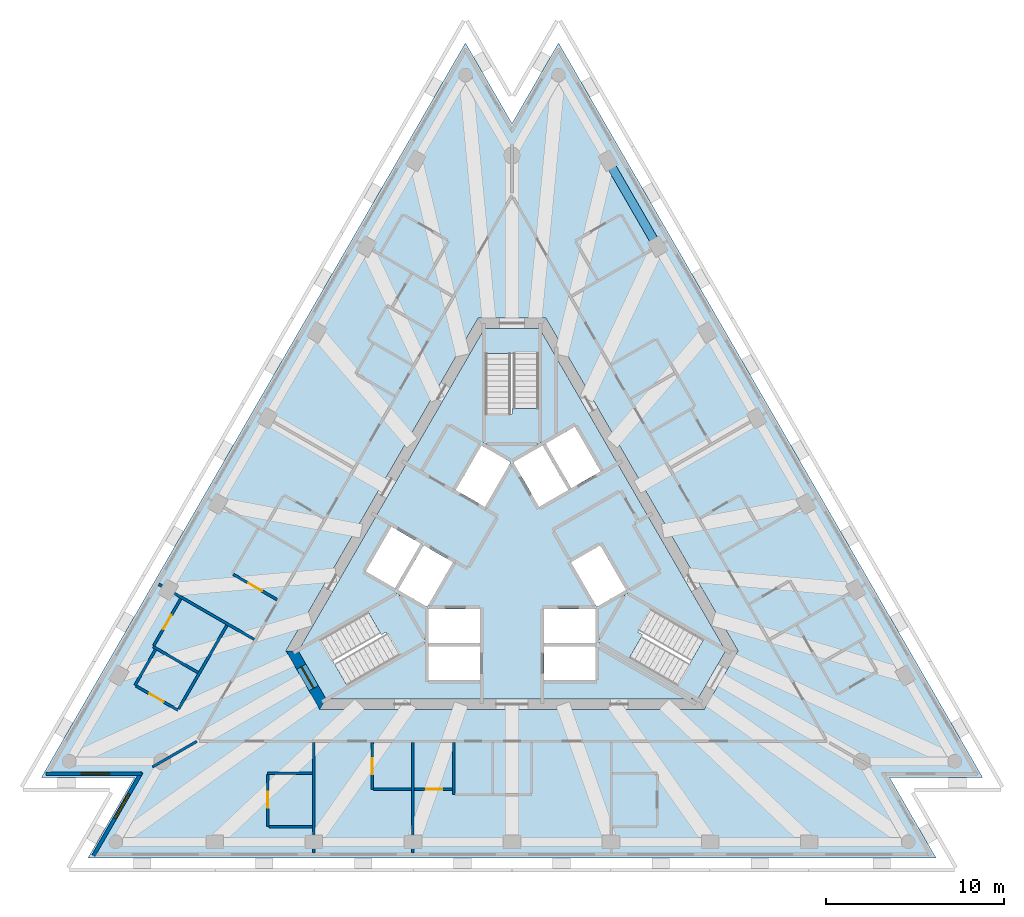
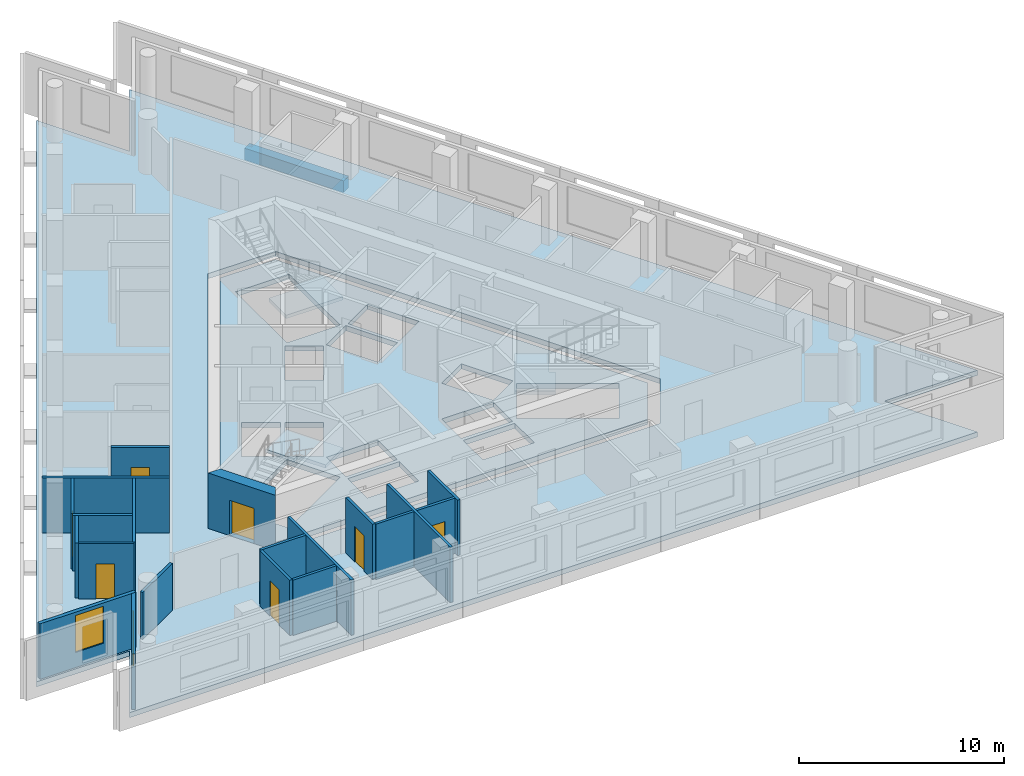
# One storey, part 2 of 10: 20 walls, 7 doors, 5 slabs, 2 windows, 1 beam, 9 openings, 3 elements without a shape of their own.
"""IFC4 building model written with IfcOpenShell, lengths in metres."""

from ifc_helpers import new_model, si_unit, direction, frame, frame_2d, origin, origin_2d, place, context, subcontext, project, spatial, polyline, rectangle, outline, extrude, material, layer, layer_set, layer_usage, material_profile, profile_set, type_object, element, fill, aggregate, save


model = new_model("IFC4")

# Units and contexts
model_context = context("Model", 3, precision=1e-05, world=origin(), true_north=direction((0.0, 1.0)))
body_context = subcontext(model_context, "Body", "Model", "MODEL_VIEW")
ifc_project = project(units=[si_unit("LENGTHUNIT", "METRE"), si_unit("AREAUNIT", "SQUARE_METRE"), si_unit("VOLUMEUNIT", "CUBIC_METRE"), si_unit("PLANEANGLEUNIT", "RADIAN"), si_unit("MASSUNIT", "GRAM", prefix="KILO")], contexts=[model_context])

# Site, building, storey
site_placement = place(None, origin())
site = spatial("IfcSite", under=ifc_project, at=site_placement, CompositionType="ELEMENT")
building_placement = place(site_placement, origin())
building = spatial("IfcBuilding", under=site, at=building_placement, Name="Triada Interchange Tower", CompositionType="ELEMENT")
storey_placement = place(building_placement, frame((0.0, 0.0, 268.300048828125)))
storey = spatial("IfcBuildingStorey", under=building, at=storey_placement, Name="L62", CompositionType="ELEMENT", Elevation=268.300048828125)

# Beam
ifc_material_1 = material(Name="Concrete C50/60", Category="concrete")
ifc_material_profile = material_profile(ifc_material_1, rectangle(XDim=0.5, YDim=0.699951171875, at=origin_2d()), Name="RC 500x700")
ifc_profile_set = profile_set([ifc_material_profile], Name="Concrete C50/60")
beam_type = type_object("IfcBeamType", Name="Spandrel beam D RC 500x700", PredefinedType="BEAM", material=ifc_profile_set)
beam_placement = place(storey_placement, frame((8.202880859375, 17.6259765625, -0.650146484375), z_axis=(-0.499926960557, 0.86606756902, 0.0), x_axis=(-0.86606756902, -0.499926960557, 0.0)))
element("IfcBeam", 1, at=beam_placement, inside=storey, type_object=beam_type, Name="Spandrel beam ED27 L62", PredefinedType="BEAM", context=body_context, shape_type="SweptSolid", body=[
    extrude(rectangle(XDim=0.5, YDim=0.699951171875, at=origin_2d()), origin(), (0.0, 0.0, 1.0), 5.580322265625),
])

# Slabs
ifc_layer_1 = layer(ifc_material_1, 0.300048828125)
ifc_layer_set_1 = layer_set([ifc_layer_1], Name="Floor slab 300")
slab_type_1 = type_object("IfcSlabType", Name="Floor slab 300", PredefinedType="FLOOR", material=ifc_layer_set_1)
slab_1_placement = place(storey_placement, frame((0.0, 0.0, -0.300048828125)))
element("IfcSlab", 2, at=slab_1_placement, inside=storey, type_object=slab_type_1, Name="Floor slab L62", PredefinedType="FLOOR", context=body_context, shape_type="SweptSolid", body=[
    extrude(outline(polyline([(-2.6220703125, 29.093017578125), (-26.506103515625, -12.27587890625), (-21.262939453125, -12.27587890625), (-23.885009765625, -16.81689453125), (23.885009765625, -16.81689453125), (21.262939453125, -12.27587890625), (26.506103515625, -12.27587890625), (2.6220703125, 29.093017578125), (0.0, 24.552978515625), (-2.6220703125, 29.093017578125)]), holes=[polyline([(1.905029296875, 13.60009765625), (-1.905029296875, 13.60009765625), (-12.73095703125, -5.14990234375), (-10.824951171875, -8.449951171875), (10.824951171875, -8.449951171875), (12.73095703125, -5.14990234375), (1.905029296875, 13.60009765625)])]), origin(), (0.0, 0.0, 1.0), 0.300048828125),
])
slab_2_placement = place(storey_placement, frame((0.0, 0.0, -0.300048828125)))
element("IfcSlab", 3, at=slab_2_placement, inside=storey, type_object=slab_type_1, Name="Core floor slab L62 1", PredefinedType="FLOOR", context=body_context, shape_type="SweptSolid", body=[
    extrude(outline(polyline([(12.0380859375, -5.14990234375), (10.47900390625, -7.85009765625), (-10.47900390625, -7.85009765625), (-12.0380859375, -5.14990234375), (-1.55908203125, 13.0), (1.55908203125, 13.0), (12.0380859375, -5.14990234375)]), holes=[polyline([(9.2958984375, -7.09912109375), (10.7958984375, -4.5009765625), (6.466064453125, -2.0009765625), (4.966064453125, -4.59912109375), (9.2958984375, -7.09912109375)]), polyline([(4.969970703125, 0.791015625), (3.324951171875, -0.158935546875), (4.77490234375, -2.669921875), (6.419921875, -1.719970703125), (4.969970703125, 0.791015625)]), polyline([(1.89404296875, 6.52001953125), (3.343994140625, 4.009033203125), (4.989013671875, 4.958984375), (3.5390625, 7.469970703125), (1.89404296875, 6.52001953125)]), polyline([(1.800048828125, -4.89990234375), (1.800048828125, -6.4990234375), (1.800048828125, -6.800048828125), (4.699951171875, -6.800048828125), (4.699951171875, -4.89990234375), (1.800048828125, -4.89990234375)]), polyline([(4.699951171875, -2.800048828125), (1.800048828125, -2.800048828125), (1.800048828125, -4.699951171875), (4.699951171875, -4.699951171875), (4.699951171875, -2.800048828125)]), polyline([(1.52490234375, 2.958984375), (2.594970703125, 3.576904296875), (3.169921875, 3.908935546875), (1.719970703125, 6.419921875), (0.074951171875, 5.469970703125), (1.52490234375, 2.958984375)]), polyline([(-1.5, 11.60009765625), (-1.5, 6.60009765625), (1.5, 6.60009765625), (1.5, 11.60009765625), (-1.5, 11.60009765625)]), polyline([(-1.52490234375, 2.958984375), (-0.074951171875, 5.469970703125), (-1.719970703125, 6.419921875), (-3.169921875, 3.908935546875), (-1.52490234375, 2.958984375)]), polyline([(-1.800048828125, -2.800048828125), (-4.699951171875, -2.800048828125), (-4.699951171875, -4.699951171875), (-1.800048828125, -4.699951171875), (-1.800048828125, -2.800048828125)]), polyline([(-4.699951171875, -6.800048828125), (-1.800048828125, -6.800048828125), (-1.800048828125, -6.4990234375), (-1.800048828125, -4.89990234375), (-4.699951171875, -4.89990234375), (-4.699951171875, -6.800048828125)]), polyline([(-3.427978515625, -0.09912109375), (-4.969970703125, 0.791015625), (-6.419921875, -1.719970703125), (-4.77490234375, -2.669921875), (-3.324951171875, -0.158935546875), (-3.427978515625, -0.09912109375)]), polyline([(-10.7958984375, -4.5009765625), (-9.2958984375, -7.09912109375), (-4.966064453125, -4.59912109375), (-6.466064453125, -2.0009765625), (-10.7958984375, -4.5009765625)]), polyline([(-6.593994140625, -1.6201171875), (-5.14404296875, 0.89111328125), (-6.7890625, 1.841064453125), (-8.239013671875, -0.669921875), (-6.593994140625, -1.6201171875)])]), origin(), (0.0, 0.0, 1.0), 0.300048828125),
])

# Stair, slab
ifc_material_2 = material(Name="Concrete C35/45", Category="concrete")
stair_type = type_object("IfcStairType", Name="HALF TURN STAIR 1400", PredefinedType="HALF_TURN_STAIR", material=ifc_material_2)
stair_1_placement = place(storey_placement, origin())
stair_1 = element("IfcStair", 4, at=stair_1_placement, inside=storey, type_object=stair_type, Name="Exit stair S62-1", PredefinedType="HALF_TURN_STAIR")
ifc_layer_2 = layer(ifc_material_2, 0.199951171875)
ifc_layer_set_2 = layer_set([ifc_layer_2], Name="STAIR LANDING 200")
slab_type_2 = type_object("IfcSlabType", Name="STAIR LANDING 200", PredefinedType="LANDING", material=ifc_layer_set_2)
slab_3_placement = place(storey_placement, frame((0.0, 0.0, 1.521728515625)))
slab_3 = element("IfcSlab", 5, at=slab_3_placement, type_object=slab_type_2, Name="S62-1 landing 1", PredefinedType="LANDING", context=body_context, shape_type="SweptSolid", body=[
    extrude(outline(polyline([(1.60009765625, 6.5), (1.60009765625, 8.5), (0.0, 8.5), (0.0, 8.18994140625), (-1.60009765625, 8.18994140625), (-1.60009765625, 6.5), (1.60009765625, 6.5)])), origin(), (0.0, 0.0, 1.0), 0.199951171875),
])
aggregate(stair_1, [slab_3])

stair_2_placement = place(storey_placement, origin())
stair_2 = element("IfcStair", 6, at=stair_2_placement, inside=storey, type_object=stair_type, Name="Exit stair S62-2", PredefinedType="HALF_TURN_STAIR")
slab_4_placement = place(storey_placement, frame((0.0, 0.0, 1.521728515625)))
slab_4 = element("IfcSlab", 7, at=slab_4_placement, type_object=slab_type_2, Name="S62-2 landing 1", PredefinedType="LANDING", context=body_context, shape_type="SweptSolid", body=[
    extrude(outline(polyline([(-6.428955078125, -1.864013671875), (-8.160888671875, -2.864013671875), (-7.361083984375, -4.25), (-7.093017578125, -4.094970703125), (-6.29296875, -5.48095703125), (-4.8291015625, -4.635986328125), (-6.428955078125, -1.864013671875)])), origin(), (0.0, 0.0, 1.0), 0.199951171875),
])
aggregate(stair_2, [slab_4])

stair_3_placement = place(storey_placement, origin())
stair_3 = element("IfcStair", 8, at=stair_3_placement, inside=storey, type_object=stair_type, Name="Exit stair S62-3", PredefinedType="HALF_TURN_STAIR")
slab_5_placement = place(storey_placement, frame((0.0, 0.0, 1.521728515625)))
slab_5 = element("IfcSlab", 9, at=slab_5_placement, type_object=slab_type_2, Name="S62-3 landing 1", PredefinedType="LANDING", context=body_context, shape_type="SweptSolid", body=[
    extrude(outline(polyline([(4.8291015625, -4.635986328125), (6.56103515625, -5.635986328125), (7.361083984375, -4.25), (7.093017578125, -4.094970703125), (7.89306640625, -2.708984375), (6.428955078125, -1.864013671875), (4.8291015625, -4.635986328125)])), origin(), (0.0, 0.0, 1.0), 0.199951171875),
])
aggregate(stair_3, [slab_5])

# Wall, opening, door
ifc_material_3 = material(Name="Concrete C40/50", Category="concrete")
ifc_layer_3 = layer(ifc_material_3, 0.60009765625)
ifc_layer_set_3 = layer_set([ifc_layer_3], Name="Core wall D 600")
wall_type_1 = type_object("IfcWallType", Name="Core wall D 600", PredefinedType="SHEAR", material=ifc_layer_set_3)
wall_1_placement = place(storey_placement, frame((-12.384033203125, -5.14990234375, -0.300048828125), z_axis=(0.0, 0.0, 1.0), x_axis=(0.49997462182, -0.866040055388, 0.0)))
wall_1 = element("IfcWall", 10, at=wall_1_placement, inside=storey, type_object=wall_type_1, Name="Core wall WD03 L62", PredefinedType="SHEAR", context=body_context, shape_type="SweptSolid", body=[
    extrude(outline(polyline([(-0.173095703125, -0.301025390625), (1.73193359375, -0.300537109375), (3.636962890625, -0.300048828125), (3.291015625, 0.300048828125), (1.73193359375, 0.300048828125), (0.173095703125, 0.300048828125), (-0.173095703125, -0.301025390625)])), origin(), (0.0, 0.0, 1.0), 3.60009765625),
])
opening_1_placement = place(wall_1_placement, frame((1.031982421875, 0.0, 0.300048828125)))
opening_1 = element("IfcOpeningElement", 11, at=opening_1_placement, cuts=wall_1, Name="Opening D62-49", PredefinedType="OPENING", context=body_context, shape_type="SweptSolid", body=[
    extrude(rectangle(XDim=1.39990234375, YDim=2.10009765625, at=frame_2d((0.699951171875, 1.050048828125))), frame((0.0, 0.31005859375, 0.0), z_axis=(0.0, -1.0, 0.0), x_axis=(1.0, 0.0, 0.0)), (0.0, 0.0, 1.0), 0.62109375),
])
ifc_material_4 = material(Name="Steel S235 door leaf", Category="steel")
door_type_1 = type_object("IfcDoorType", Name="STAIR DOOR 1400 EI2 90-C5S200", OperationType="DOUBLE_DOOR_SINGLE_SWING", PredefinedType="DOOR", material=ifc_material_4)
door_1_placement = place(opening_1_placement, origin())
door_1 = element("IfcDoor", 12, at=door_1_placement, inside=storey, type_object=door_type_1, Name="Door D62-49 L62", OperationType="DOUBLE_DOOR_SINGLE_SWING", OverallHeight=2.10009765625, OverallWidth=1.39990234375, PredefinedType="DOOR", context=body_context, shape_type="SweptSolid", body=[
    extrude(rectangle(XDim=1.39990234375, YDim=2.10009765625, at=frame_2d((0.699951171875, 1.050048828125))), frame((0.0, 0.02490234375, 0.0), z_axis=(0.0, -1.0, 0.0), x_axis=(1.0, 0.0, 0.0)), (0.0, 0.0, 1.0), 0.050048828125),
])
fill(opening_1, door_1)

# Wall, opening, window
ifc_material_5 = material(Name="Cement board")
ifc_layer_4 = layer(ifc_material_5, 0.02001953125, Name="Cement board cladding")
ifc_material_6 = material(Name="Sheathing board")
ifc_layer_5 = layer(ifc_material_6, 0.014892578125, Name="Sheathing board")
ifc_material_7 = material(Name="Mineral wool")
ifc_layer_6 = layer(ifc_material_7, 0.14990234375, Name="Mineral wool between steel studs")
ifc_material_8 = material(Name="Gypsum board")
ifc_layer_7 = layer(ifc_material_8, 0.014892578125, Name="Plasterboard lining")
ifc_layer_set_4 = layer_set([ifc_layer_4, ifc_layer_5, ifc_layer_6, ifc_layer_7], Name="External wall 200")
ifc_layer_usage = layer_usage(ifc_layer_set_4, "AXIS2", "POSITIVE", -0.10009765625)
wall_type_2 = type_object("IfcWallType", Name="External wall 200", PredefinedType="ELEMENTEDWALL", material=ifc_layer_set_4)
wall_2_placement = place(storey_placement, frame((-26.25, -12.075927734375, 0.0), z_axis=(0.0, 0.0, 1.0), x_axis=(1.0, 0.0, 0.0)))
wall_2 = element("IfcWall", 13, at=wall_2_placement, inside=storey, type_object=wall_type_2, material=ifc_layer_usage, Name="External wall L62 SW-1", PredefinedType="ELEMENTEDWALL", context=body_context, shape_type="SweptSolid", body=[
    extrude(rectangle(XDim=5.403076171875, YDim=0.199951171875, at=frame_2d((2.70166015625, 0.0))), origin(), (0.0, 0.0, 1.0), 3.300048828125),
])
opening_2_placement = place(wall_2_placement, frame((1.989990234375, 0.0, 0.89990234375)))
opening_2 = element("IfcOpeningElement", 14, at=opening_2_placement, cuts=wall_2, Name="Opening WD09", PredefinedType="OPENING", context=body_context, shape_type="SweptSolid", body=[
    extrude(rectangle(XDim=1.60009765625, YDim=2.199951171875, at=frame_2d((0.800048828125, 1.10009765625))), frame((0.0, 0.10986328125, 0.0), z_axis=(0.0, -1.0, 0.0), x_axis=(1.0, 0.0, 0.0)), (0.0, 0.0, 1.0), 0.219970703125),
])
ifc_material_9 = material(Name="Double glazed aluminium window", Category="aluminium")
window_type = type_object("IfcWindowType", Name="Ribbon window D pocket", PartitioningType="SINGLE_PANEL", PredefinedType="WINDOW", material=ifc_material_9)
window_1_placement = place(opening_2_placement, origin())
window_1 = element("IfcWindow", 15, at=window_1_placement, inside=storey, type_object=window_type, Name="Window L62 SW-1 1", OverallHeight=2.199951171875, OverallWidth=1.60009765625, PartitioningType="SINGLE_PANEL", PredefinedType="WINDOW", context=body_context, shape_type="SweptSolid", body=[
    extrude(rectangle(XDim=1.60009765625, YDim=2.199951171875, at=frame_2d((0.800048828125, 1.10009765625))), frame((0.0, 0.030029296875, 0.0), z_axis=(0.0, -1.0, 0.0), x_axis=(1.0, 0.0, 0.0)), (0.0, 0.0, 1.0), 0.06005859375),
])
fill(opening_2, window_1)

wall_3_placement = place(storey_placement, frame((-20.8720703125, -11.998046875, 0.0), z_axis=(0.0, 0.0, 1.0), x_axis=(-0.499992297805, -0.866029850603, 0.0)))
wall_3 = element("IfcWall", 16, at=wall_3_placement, inside=storey, type_object=wall_type_2, material=ifc_layer_usage, Name="External wall L62 SW-2", PredefinedType="ELEMENTEDWALL", context=body_context, shape_type="SweptSolid", body=[
    extrude(rectangle(XDim=5.40380859375, YDim=0.199951171875, at=frame_2d((2.701904296875, 0.0))), origin(), (0.0, 0.0, 1.0), 3.300048828125),
])
opening_3_placement = place(wall_3_placement, frame((1.389892578125, 0.0, 0.89990234375)))
opening_3 = element("IfcOpeningElement", 17, at=opening_3_placement, cuts=wall_3, Name="Opening WD10", PredefinedType="OPENING", context=body_context, shape_type="SweptSolid", body=[
    extrude(rectangle(XDim=1.60009765625, YDim=2.199951171875, at=frame_2d((0.800048828125, 1.10009765625))), frame((0.0, 0.10986328125, 0.0), z_axis=(0.0, -1.0, 0.0), x_axis=(1.0, 0.0, 0.0)), (0.0, 0.0, 1.0), 0.219970703125),
])
window_2_placement = place(opening_3_placement, origin())
window_2 = element("IfcWindow", 18, at=window_2_placement, inside=storey, type_object=window_type, Name="Window L62 SW-2 1", OverallHeight=2.199951171875, OverallWidth=1.60009765625, PartitioningType="SINGLE_PANEL", PredefinedType="WINDOW", context=body_context, shape_type="SweptSolid", body=[
    extrude(rectangle(XDim=1.60009765625, YDim=2.199951171875, at=frame_2d((0.800048828125, 1.10009765625))), frame((0.0, 0.030029296875, 0.0), z_axis=(0.0, -1.0, 0.0), x_axis=(1.0, 0.0, 0.0)), (0.0, 0.0, 1.0), 0.06005859375),
])
fill(opening_3, window_2)

# Walls
ifc_material_10 = material(Name="Gypsum board partition")
ifc_layer_8 = layer(ifc_material_10, 0.14990234375)
ifc_layer_set_5 = layer_set([ifc_layer_8], Name="PARTITION 150 EI 180")
wall_type_3 = type_object("IfcWallType", Name="PARTITION 150 EI 180", PredefinedType="PARTITIONING", material=ifc_layer_set_5)
wall_4_placement = place(storey_placement, frame((-20.240966796875, -11.68603515625, 0.0), z_axis=(0.0, 0.0, 1.0), x_axis=(0.86594358484, 0.5001416878, 0.0)))
element("IfcWall", 19, at=wall_4_placement, inside=storey, type_object=wall_type_3, Name="Wall L62 1", PredefinedType="PARTITIONING", context=body_context, shape_type="SweptSolid", body=[
    extrude(rectangle(XDim=2.873291015625, YDim=0.14990234375, at=frame_2d((1.4365234375, 0.0))), origin(), (0.0, 0.0, 1.0), 2.800048828125),
])
wall_5_placement = place(storey_placement, frame((-19.903076171875, -1.39892578125, 0.0), z_axis=(0.0, 0.0, 1.0), x_axis=(0.866043575568, -0.499968524226, 0.0)))
element("IfcWall", 20, at=wall_5_placement, inside=storey, type_object=wall_type_3, Name="Wall L62 3", PredefinedType="PARTITIONING", context=body_context, shape_type="SweptSolid", body=[
    extrude(rectangle(XDim=6.21240234375, YDim=0.14990234375, at=frame_2d((3.106201171875, 0.0))), origin(), (0.0, 0.0, 1.0), 3.300048828125),
])
for number, where, z_axis, x_axis, name in (
    (21, (-11.1630859375, -16.537109375, 0.0), (0.0, 0.0, 1.0), (0.0, 1.0, 0.0), "Wall L62 9"),
    (22, (-5.5810546875, -16.537109375, 0.0), (0.0, 0.0, 1.0), (0.0, 1.0, 0.0), "Wall L62 16"),
):
    element("IfcWall", number, at=place(storey_placement, frame(where, z_axis=z_axis, x_axis=x_axis)), inside=storey, type_object=wall_type_3, Name=name, PredefinedType="PARTITIONING", context=body_context, shape_type="SweptSolid", body=[
        extrude(rectangle(XDim=6.212158203125, YDim=0.14990234375, at=frame_2d((3.10595703125, 0.0))), origin(), (0.0, 0.0, 1.0), 3.300048828125),
    ])
wall_6_placement = place(storey_placement, frame((-3.281005859375, -13.25, 0.0), z_axis=(0.0, 0.0, 1.0), x_axis=(0.0, 1.0, 0.0)))
element("IfcWall", 23, at=wall_6_placement, inside=storey, type_object=wall_type_3, Name="Wall L62 17", PredefinedType="PARTITIONING", context=body_context, shape_type="SweptSolid", body=[
    extrude(rectangle(XDim=2.925048828125, YDim=0.14990234375, at=frame_2d((1.46240234375, 0.0))), origin(), (0.0, 0.0, 1.0), 3.300048828125),
])
ifc_layer_9 = layer(ifc_material_10, 0.14990234375)
ifc_layer_set_6 = layer_set([ifc_layer_9], Name="PARTITION 150 EI 90")
wall_type_4 = type_object("IfcWallType", Name="PARTITION 150 EI 90", PredefinedType="PARTITIONING", material=ifc_layer_set_6)
wall_7_placement = place(storey_placement, frame((-20.215087890625, -4.9140625, 0.0), z_axis=(0.0, 0.0, 1.0), x_axis=(0.866118873815, -0.499838070201, 0.0)))
element("IfcWall", 24, at=wall_7_placement, inside=storey, type_object=wall_type_4, Name="Wall L62 31", PredefinedType="PARTITIONING", context=body_context, shape_type="SweptSolid", body=[
    extrude(rectangle(XDim=2.9248046875, YDim=0.14990234375, at=frame_2d((1.46240234375, 0.0))), origin(), (0.0, 0.0, 1.0), 3.300048828125),
])
wall_8_placement = place(storey_placement, frame((-21.241943359375, -7.092041015625, 0.0), z_axis=(0.0, 0.0, 1.0), x_axis=(0.500216356891, 0.865900454035, 0.0)))
element("IfcWall", 25, at=wall_8_placement, inside=storey, type_object=wall_type_4, Name="Wall L62 32", PredefinedType="PARTITIONING", context=body_context, shape_type="SweptSolid", body=[
    extrude(rectangle(XDim=2.32470703125, YDim=0.14990234375, at=frame_2d((1.162353515625, 0.0))), origin(), (0.0, 0.0, 1.0), 3.300048828125),
])

# Wall, opening, door
wall_9_placement = place(storey_placement, frame((-21.177001953125, -7.1298828125, 0.0), z_axis=(0.0, 0.0, 1.0), x_axis=(0.866112488944, -0.499849133735, 0.0)))
wall_9 = element("IfcWall", 26, at=wall_9_placement, inside=storey, type_object=wall_type_4, Name="Wall L62 33", PredefinedType="PARTITIONING", context=body_context, shape_type="SweptSolid", body=[
    extrude(rectangle(XDim=2.724853515625, YDim=0.14990234375, at=frame_2d((1.3623046875, 0.0))), origin(), (0.0, 0.0, 1.0), 3.300048828125),
])
opening_4_placement = place(wall_9_placement, frame((0.875, 0.0, 0.0)))
opening_4 = element("IfcOpeningElement", 27, at=opening_4_placement, cuts=wall_9, Name="Opening D62-46", PredefinedType="OPENING", context=body_context, shape_type="SweptSolid", body=[
    extrude(rectangle(XDim=0.89990234375, YDim=2.10009765625, at=frame_2d((0.449951171875, 1.050048828125))), frame((0.0, 0.0849609375, 0.0), z_axis=(0.0, -1.0, 0.0), x_axis=(1.0, 0.0, 0.0)), (0.0, 0.0, 1.0), 0.169921875),
])
door_type_2 = type_object("IfcDoorType", Name="SERVICE DOOR 900 EI2 45-C5S200", OperationType="NOTDEFINED", PredefinedType="DOOR", material=ifc_material_4)
door_2_placement = place(opening_4_placement, origin())
door_2 = element("IfcDoor", 28, at=door_2_placement, inside=storey, type_object=door_type_2, Name="Door D62-46 L62", OperationType="SINGLE_SWING_RIGHT", OverallHeight=2.10009765625, OverallWidth=0.89990234375, PredefinedType="DOOR", context=body_context, shape_type="SweptSolid", body=[
    extrude(rectangle(XDim=0.89990234375, YDim=2.10009765625, at=frame_2d((0.449951171875, 1.050048828125))), frame((0.0, 0.02490234375, 0.0), z_axis=(0.0, -1.0, 0.0), x_axis=(1.0, 0.0, 0.0)), (0.0, 0.0, 1.0), 0.050048828125),
])
fill(opening_4, door_2)

# Wall
wall_10_placement = place(storey_placement, frame((-18.780029296875, -8.427001953125, 0.0), z_axis=(0.0, 0.0, 1.0), x_axis=(0.500002931134, 0.866023711487, 0.0)))
element("IfcWall", 29, at=wall_10_placement, inside=storey, type_object=wall_type_4, Name="Wall L62 34", PredefinedType="PARTITIONING", context=body_context, shape_type="SweptSolid", body=[
    extrude(rectangle(XDim=5.4501953125, YDim=0.14990234375, at=frame_2d((2.72509765625, 0.0))), origin(), (0.0, 0.0, 1.0), 3.300048828125),
])

# Wall, opening, door
wall_11_placement = place(storey_placement, frame((-20.177978515625, -4.84912109375, 0.0), z_axis=(0.0, 0.0, 1.0), x_axis=(0.499874869213, 0.866097636026, 0.0)))
wall_11 = element("IfcWall", 30, at=wall_11_placement, inside=storey, type_object=wall_type_4, Name="Wall L62 36", PredefinedType="PARTITIONING", context=body_context, shape_type="SweptSolid", body=[
    extrude(rectangle(XDim=3.050537109375, YDim=0.14990234375, at=frame_2d((1.525390625, 0.0))), origin(), (0.0, 0.0, 1.0), 3.300048828125),
])
opening_5_placement = place(wall_11_placement, frame((1.074951171875, 0.0, 0.0)))
opening_5 = element("IfcOpeningElement", 31, at=opening_5_placement, cuts=wall_11, Name="Opening D62-45", PredefinedType="OPENING", context=body_context, shape_type="SweptSolid", body=[
    extrude(rectangle(XDim=0.89990234375, YDim=2.10009765625, at=frame_2d((0.449951171875, 1.050048828125))), frame((0.0, 0.0849609375, 0.0), z_axis=(0.0, -1.0, 0.0), x_axis=(1.0, 0.0, 0.0)), (0.0, 0.0, 1.0), 0.169921875),
])
door_type_3 = type_object("IfcDoorType", Name="ROOM DOOR 900 EI2 45-C5S200", OperationType="NOTDEFINED", PredefinedType="DOOR", material=ifc_material_4)
door_3_placement = place(opening_5_placement, origin())
door_3 = element("IfcDoor", 32, at=door_3_placement, inside=storey, type_object=door_type_3, Name="Door D62-45 L62", OperationType="SINGLE_SWING_LEFT", OverallHeight=2.10009765625, OverallWidth=0.89990234375, PredefinedType="DOOR", context=body_context, shape_type="SweptSolid", body=[
    extrude(rectangle(XDim=0.89990234375, YDim=2.10009765625, at=frame_2d((0.449951171875, 1.050048828125))), frame((0.0, 0.02490234375, 0.0), z_axis=(0.0, -1.0, 0.0), x_axis=(1.0, 0.0, 0.0)), (0.0, 0.0, 1.0), 0.050048828125),
])
fill(opening_5, door_3)

wall_12_placement = place(storey_placement, frame((-15.699951171875, -0.843994140625, 0.0), z_axis=(0.0, 0.0, 1.0), x_axis=(0.866004402611, -0.500036373335, 0.0)))
wall_12 = element("IfcWall", 33, at=wall_12_placement, inside=storey, type_object=wall_type_4, Name="Wall L62 42", PredefinedType="PARTITIONING", context=body_context, shape_type="SweptSolid", body=[
    extrude(rectangle(XDim=2.849853515625, YDim=0.14990234375, at=frame_2d((1.4248046875, 0.0))), origin(), (0.0, 0.0, 1.0), 3.300048828125),
])
opening_6_placement = place(wall_12_placement, frame((0.97509765625, 0.0, 0.0)))
opening_6 = element("IfcOpeningElement", 34, at=opening_6_placement, cuts=wall_12, Name="Opening D62-43", PredefinedType="OPENING", context=body_context, shape_type="SweptSolid", body=[
    extrude(rectangle(XDim=0.89990234375, YDim=2.10009765625, at=frame_2d((0.449951171875, 1.050048828125))), frame((0.0, 0.0849609375, 0.0), z_axis=(0.0, -1.0, 0.0), x_axis=(1.0, 0.0, 0.0)), (0.0, 0.0, 1.0), 0.169921875),
])
door_4_placement = place(opening_6_placement, origin())
door_4 = element("IfcDoor", 35, at=door_4_placement, inside=storey, type_object=door_type_3, Name="Door D62-43 L62", OperationType="SINGLE_SWING_RIGHT", OverallHeight=2.10009765625, OverallWidth=0.89990234375, PredefinedType="DOOR", context=body_context, shape_type="SweptSolid", body=[
    extrude(rectangle(XDim=0.89990234375, YDim=2.10009765625, at=frame_2d((0.449951171875, 1.050048828125))), frame((0.0, 0.02490234375, 0.0), z_axis=(0.0, -1.0, 0.0), x_axis=(1.0, 0.0, 0.0)), (0.0, 0.0, 1.0), 0.050048828125),
])
fill(opening_6, door_4)

# Wall
wall_13_placement = place(storey_placement, frame((-13.762939453125, -12.050048828125, 0.0), z_axis=(0.0, 0.0, 1.0), x_axis=(1.0, 0.0, 0.0)))
element("IfcWall", 36, at=wall_13_placement, inside=storey, type_object=wall_type_4, Name="Wall L62 43", PredefinedType="PARTITIONING", context=body_context, shape_type="SweptSolid", body=[
    extrude(rectangle(XDim=2.52490234375, YDim=0.14990234375, at=frame_2d((1.262451171875, 0.0))), origin(), (0.0, 0.0, 1.0), 3.300048828125),
])

# Wall, opening, door
wall_14_placement = place(storey_placement, frame((-13.762939453125, -15.050048828125, 0.0), z_axis=(0.0, 0.0, 1.0), x_axis=(0.0, 1.0, 0.0)))
wall_14 = element("IfcWall", 37, at=wall_14_placement, inside=storey, type_object=wall_type_4, Name="Wall L62 45", PredefinedType="PARTITIONING", context=body_context, shape_type="SweptSolid", body=[
    extrude(rectangle(XDim=2.925048828125, YDim=0.14990234375, at=frame_2d((1.46240234375, 0.0))), origin(), (0.0, 0.0, 1.0), 3.300048828125),
])
opening_7_placement = place(wall_14_placement, frame((1.050048828125, 0.0, 0.0)))
opening_7 = element("IfcOpeningElement", 38, at=opening_7_placement, cuts=wall_14, Name="Opening D62-12", PredefinedType="OPENING", context=body_context, shape_type="SweptSolid", body=[
    extrude(rectangle(XDim=0.89990234375, YDim=2.10009765625, at=frame_2d((0.449951171875, 1.050048828125))), frame((0.0, 0.0849609375, 0.0), z_axis=(0.0, -1.0, 0.0), x_axis=(1.0, 0.0, 0.0)), (0.0, 0.0, 1.0), 0.169921875),
])
door_5_placement = place(opening_7_placement, origin())
door_5 = element("IfcDoor", 39, at=door_5_placement, inside=storey, type_object=door_type_3, Name="Door D62-12 L62", OperationType="SINGLE_SWING_RIGHT", OverallHeight=2.10009765625, OverallWidth=0.89990234375, PredefinedType="DOOR", context=body_context, shape_type="SweptSolid", body=[
    extrude(rectangle(XDim=0.89990234375, YDim=2.10009765625, at=frame_2d((0.449951171875, 1.050048828125))), frame((0.0, 0.02490234375, 0.0), z_axis=(0.0, -1.0, 0.0), x_axis=(1.0, 0.0, 0.0)), (0.0, 0.0, 1.0), 0.050048828125),
])
fill(opening_7, door_5)

# Wall
wall_15_placement = place(storey_placement, frame((-13.68798828125, -15.050048828125, 0.0), z_axis=(0.0, 0.0, 1.0), x_axis=(1.0, 0.0, 0.0)))
element("IfcWall", 40, at=wall_15_placement, inside=storey, type_object=wall_type_4, Name="Wall L62 46", PredefinedType="PARTITIONING", context=body_context, shape_type="SweptSolid", body=[
    extrude(rectangle(XDim=2.449951171875, YDim=0.14990234375, at=frame_2d((1.22509765625, 0.0))), origin(), (0.0, 0.0, 1.0), 3.300048828125),
])

# Wall, opening, door
wall_16_placement = place(storey_placement, frame((-7.881103515625, -12.949951171875, 0.0), z_axis=(0.0, 0.0, 1.0), x_axis=(0.0, 1.0, 0.0)))
wall_16 = element("IfcWall", 41, at=wall_16_placement, inside=storey, type_object=wall_type_4, Name="Wall L62 48", PredefinedType="PARTITIONING", context=body_context, shape_type="SweptSolid", body=[
    extrude(rectangle(XDim=2.625, YDim=0.14990234375, at=frame_2d((1.3125, 0.0))), origin(), (0.0, 0.0, 1.0), 3.300048828125),
])
opening_8_placement = place(wall_16_placement, frame((0.85009765625, 0.0, 0.0)))
opening_8 = element("IfcOpeningElement", 42, at=opening_8_placement, cuts=wall_16, Name="Opening D62-14", PredefinedType="OPENING", context=body_context, shape_type="SweptSolid", body=[
    extrude(rectangle(XDim=0.89990234375, YDim=2.10009765625, at=frame_2d((0.449951171875, 1.050048828125))), frame((0.0, 0.0849609375, 0.0), z_axis=(0.0, -1.0, 0.0), x_axis=(1.0, 0.0, 0.0)), (0.0, 0.0, 1.0), 0.169921875),
])
door_6_placement = place(opening_8_placement, origin())
door_6 = element("IfcDoor", 43, at=door_6_placement, inside=storey, type_object=door_type_3, Name="Door D62-14 L62", OperationType="SINGLE_SWING_LEFT", OverallHeight=2.10009765625, OverallWidth=0.89990234375, PredefinedType="DOOR", context=body_context, shape_type="SweptSolid", body=[
    extrude(rectangle(XDim=0.89990234375, YDim=2.10009765625, at=frame_2d((0.449951171875, 1.050048828125))), frame((0.0, 0.02490234375, 0.0), z_axis=(0.0, -1.0, 0.0), x_axis=(1.0, 0.0, 0.0)), (0.0, 0.0, 1.0), 0.050048828125),
])
fill(opening_8, door_6)

# Wall
wall_17_placement = place(storey_placement, frame((-7.805908203125, -12.949951171875, 0.0), z_axis=(0.0, 0.0, 1.0), x_axis=(1.0, 0.0, 0.0)))
element("IfcWall", 44, at=wall_17_placement, inside=storey, type_object=wall_type_4, Name="Wall L62 49", PredefinedType="PARTITIONING", context=body_context, shape_type="SweptSolid", body=[
    extrude(rectangle(XDim=2.14990234375, YDim=0.14990234375, at=frame_2d((1.074951171875, 0.0))), origin(), (0.0, 0.0, 1.0), 3.300048828125),
])

# Wall, opening, door
wall_18_placement = place(storey_placement, frame((-5.506103515625, -12.949951171875, 0.0), z_axis=(0.0, 0.0, 1.0), x_axis=(1.0, 0.0, 0.0)))
wall_18 = element("IfcWall", 45, at=wall_18_placement, inside=storey, type_object=wall_type_4, Name="Wall L62 50", PredefinedType="PARTITIONING", context=body_context, shape_type="SweptSolid", body=[
    extrude(rectangle(XDim=2.150146484375, YDim=0.14990234375, at=frame_2d((1.0751953125, 0.0))), origin(), (0.0, 0.0, 1.0), 3.300048828125),
])
opening_9_placement = place(wall_18_placement, frame((0.675048828125, 0.0, 0.0)))
opening_9 = element("IfcOpeningElement", 46, at=opening_9_placement, cuts=wall_18, Name="Opening D62-16", PredefinedType="OPENING", context=body_context, shape_type="SweptSolid", body=[
    extrude(rectangle(XDim=0.89990234375, YDim=2.10009765625, at=frame_2d((0.449951171875, 1.050048828125))), frame((0.0, 0.0849609375, 0.0), z_axis=(0.0, -1.0, 0.0), x_axis=(1.0, 0.0, 0.0)), (0.0, 0.0, 1.0), 0.169921875),
])
door_7_placement = place(opening_9_placement, origin())
door_7 = element("IfcDoor", 47, at=door_7_placement, inside=storey, type_object=door_type_3, Name="Door D62-16 L62", OperationType="SINGLE_SWING_LEFT", OverallHeight=2.10009765625, OverallWidth=0.89990234375, PredefinedType="DOOR", context=body_context, shape_type="SweptSolid", body=[
    extrude(rectangle(XDim=0.89990234375, YDim=2.10009765625, at=frame_2d((0.449951171875, 1.050048828125))), frame((0.0, 0.02490234375, 0.0), z_axis=(0.0, -1.0, 0.0), x_axis=(1.0, 0.0, 0.0)), (0.0, 0.0, 1.0), 0.050048828125),
])
fill(opening_9, door_7)

save(model, "model.ifc")
